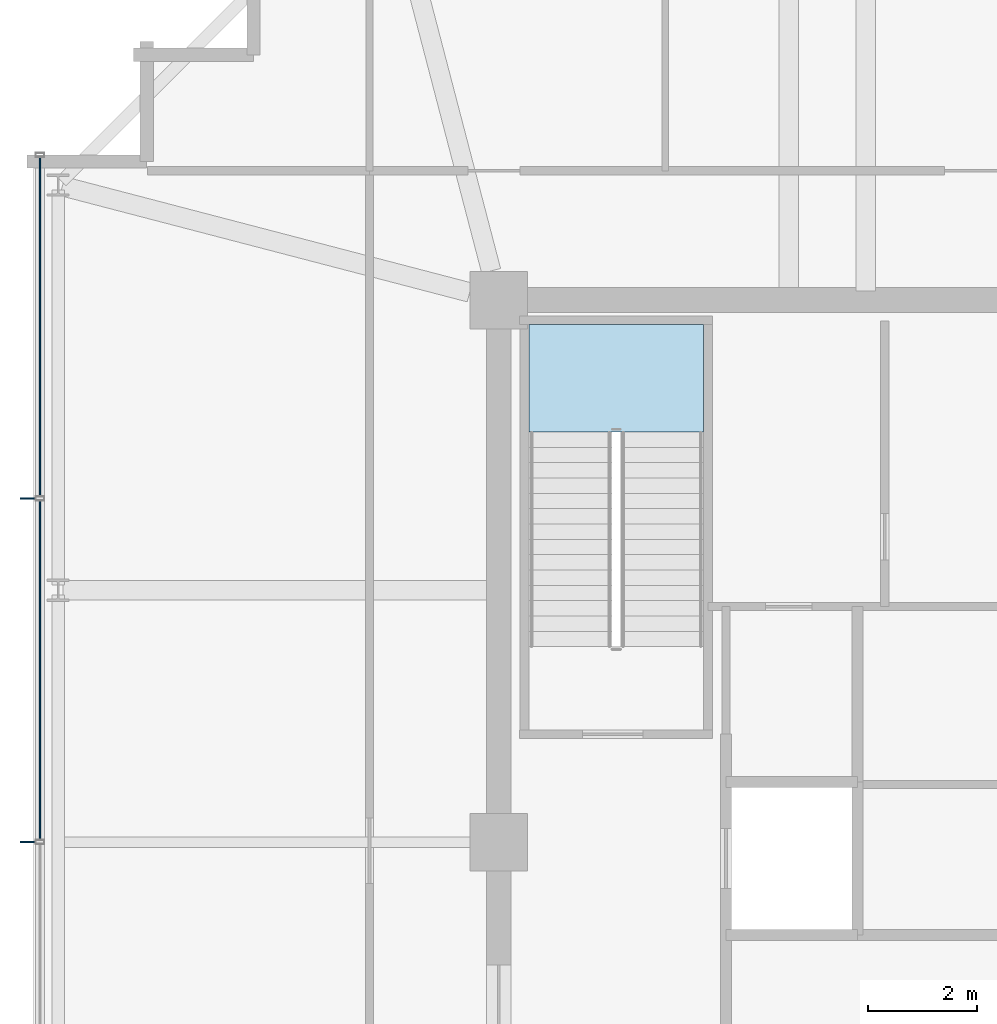
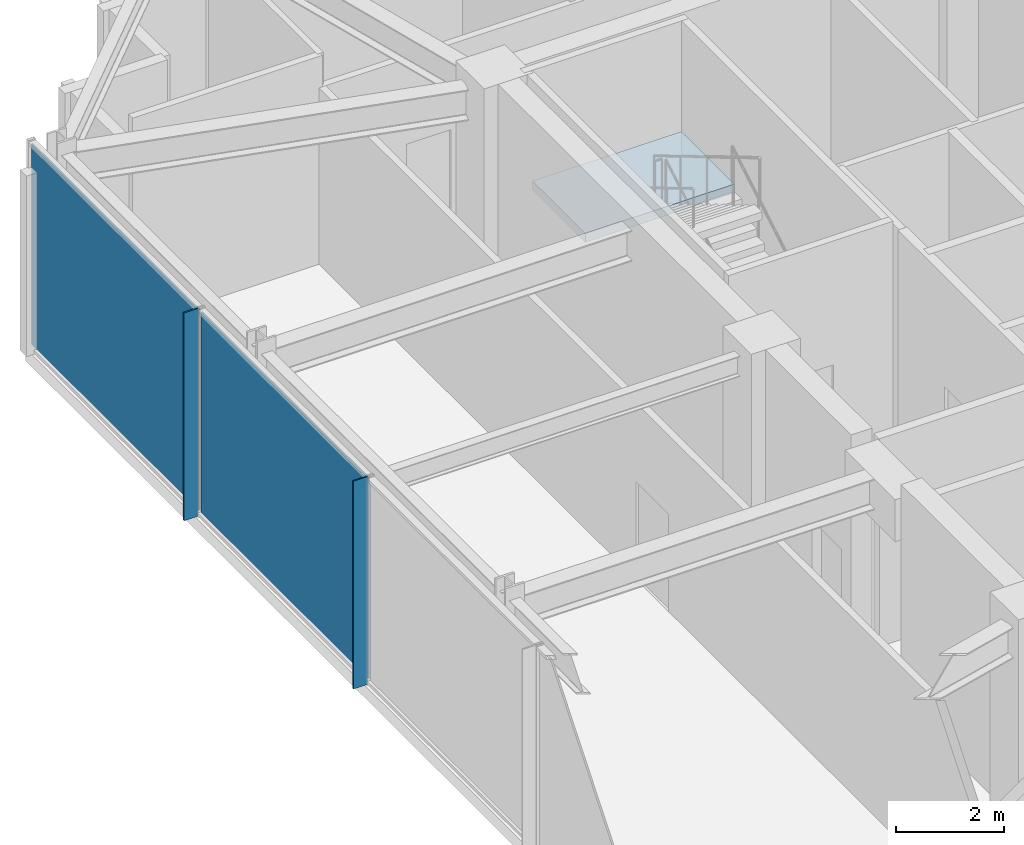
# One storey, part 23 of 31: 4 plates, 1 slab, 2 elements without a shape of their own.
"""IFC4 building model written with IfcOpenShell, lengths in metres."""

from ifc_helpers import new_model, si_unit, direction, frame, origin, origin_2d, place, context, subcontext, project, spatial, polyline, rectangle, outline, extrude, material, layer, layer_set, type_object, element, aggregate, save


model = new_model("IFC4")

# Units and contexts
model_context = context("Model", 3, precision=1e-05, world=origin(), true_north=direction((0.0, 1.0)))
body_context = subcontext(model_context, "Body", "Model", "MODEL_VIEW")
ifc_project = project(units=[si_unit("LENGTHUNIT", "METRE"), si_unit("AREAUNIT", "SQUARE_METRE"), si_unit("VOLUMEUNIT", "CUBIC_METRE"), si_unit("PLANEANGLEUNIT", "RADIAN"), si_unit("MASSUNIT", "GRAM", prefix="KILO")], contexts=[model_context])

# Site, building, storey
site_placement = place(None, origin())
site = spatial("IfcSite", under=ifc_project, at=site_placement, CompositionType="ELEMENT")
building_placement = place(site_placement, origin())
building = spatial("IfcBuilding", under=site, at=building_placement, Name="Kolvaren Belvedere", CompositionType="ELEMENT")
storey_placement = place(building_placement, frame((0.0, 0.0, 267.39990234375)))
storey = spatial("IfcBuildingStorey", under=building, at=storey_placement, Name="L77", CompositionType="ELEMENT", Elevation=267.39990234375)

# Curtain wall, plates
ifc_material_1 = material(Name="Anodised pale-metal aluminium AA 6063-T6", Category="aluminium")
curtain_wall_type = type_object("IfcCurtainWallType", Name="CW-CRN-OBS", PredefinedType="NOTDEFINED", material=ifc_material_1)
curtain_wall_placement = place(storey_placement, origin())
curtain_wall = element("IfcCurtainWall", 1, at=curtain_wall_placement, inside=storey, type_object=curtain_wall_type, Name="L77 Unitised Curtain Wall FCW-L77-W", PredefinedType="NOTDEFINED")
ifc_material_2 = material(Name="Low-iron laminated vision glass", Category="glass")
ifc_layer_1 = layer(ifc_material_2, 0.031982421875)
ifc_layer_set_1 = layer_set([ifc_layer_1], Name="Low-iron laminated vision glass")
plate_type_1 = type_object("IfcPlateType", Name="CW-PNL-VIS32", PredefinedType="CURTAIN_PANEL", material=ifc_layer_set_1)
plate_1_placement = place(storey_placement, frame((-18.280029296875, 3.137451171875, 0.080078125), z_axis=(0.0, 0.0, 1.0), x_axis=(0.0, 1.0, 0.0)))
plate_1 = element("IfcPlate", 2, at=plate_1_placement, type_object=plate_type_1, Name="FCW-L77-W Vision Glazing Panel 3", PredefinedType="CURTAIN_PANEL", context=body_context, shape_type="SweptSolid", body=[
    extrude(rectangle(XDim=6.195068359375, YDim=0.031982421875, at=origin_2d()), origin(), (0.0, 0.0, 1.0), 4.5400390625),
])
plate_2_placement = place(storey_placement, frame((-18.280029296875, 9.41259765625, 0.080078125), z_axis=(0.0, 0.0, 1.0), x_axis=(0.0, 1.0, 0.0)))
plate_2 = element("IfcPlate", 3, at=plate_2_placement, type_object=plate_type_1, Name="FCW-L77-W Vision Glazing Panel 4", PredefinedType="CURTAIN_PANEL", context=body_context, shape_type="SweptSolid", body=[
    extrude(rectangle(XDim=6.195068359375, YDim=0.031982421875, at=origin_2d()), origin(), (0.0, 0.0, 1.0), 4.5400390625),
])
aggregate(curtain_wall, [plate_1, plate_2])

# Plates
ifc_material_3 = material(Name="Anodised pale-metal aluminium AA 6063-T6", Category="aluminium")
ifc_layer_2 = layer(ifc_material_3, 0.030029296875)
ifc_layer_set_2 = layer_set([ifc_layer_2], Name="Anodised pale-metal aluminium AA 6063-T6")
plate_type_2 = type_object("IfcPlateType", Name="FIN-VERT-300", PredefinedType="USERDEFINED", material=ifc_layer_set_2)
for number, where, z_axis, x_axis, name in (
    (4, (-18.4951171875, 0.0, 0.0), (0.0, 0.0, 1.0), (1.0, 0.0, 0.0), "L77 Pale-Metal Vertical Shading Fin FCW-L77-W-2"),
    (5, (-18.4951171875, 6.27490234375, 0.0), (0.0, 0.0, 1.0), (1.0, 0.0, 0.0), "L77 Pale-Metal Vertical Shading Fin FCW-L77-W-3"),
):
    element("IfcPlate", number, at=place(storey_placement, frame(where, z_axis=z_axis, x_axis=x_axis)), inside=storey, type_object=plate_type_2, Name=name, ObjectType="VERTICAL FIN", PredefinedType="USERDEFINED", context=body_context, shape_type="SweptSolid", body=[
        extrude(rectangle(XDim=0.300048828125, YDim=0.030029296875, at=origin_2d()), origin(), (0.0, 0.0, 1.0), 4.699951171875),
    ])

# Stair, slab
ifc_material_4 = material(Name="Concrete C50/60", Category="concrete")
stair_type = type_object("IfcStairType", Name="ST-CORE-1520", PredefinedType="HALF_TURN_STAIR", material=ifc_material_4)
stair_placement = place(storey_placement, origin())
stair = element("IfcStair", 6, at=stair_placement, inside=storey, type_object=stair_type, Name="L77 Protected Exit Stair ST-1", PredefinedType="HALF_TURN_STAIR")
ifc_material_5 = material(Name="Concrete C50/60", Category="concrete")
ifc_layer_3 = layer(ifc_material_5, 0.260009765625)
ifc_layer_set_3 = layer_set([ifc_layer_3], Name="Concrete C50/60")
slab_type = type_object("IfcSlabType", Name="SL-LAND-260", PredefinedType="LANDING", material=ifc_layer_set_3)
slab_placement = place(storey_placement, frame((0.0, 0.0, 2.300048828125)))
slab = element("IfcSlab", 7, at=slab_placement, type_object=slab_type, Name="ST-1 landing 1", PredefinedType="LANDING", context=body_context, shape_type="SweptSolid", body=[
    extrude(outline(polyline([(-6.159912109375, 7.489990234375), (-6.159912109375, 9.449951171875), (-9.35009765625, 9.449951171875), (-9.35009765625, 7.489990234375), (-6.159912109375, 7.489990234375)])), origin(), (0.0, 0.0, 1.0), 0.199951171875),
])
aggregate(stair, [slab])

save(model, "model.ifc")
